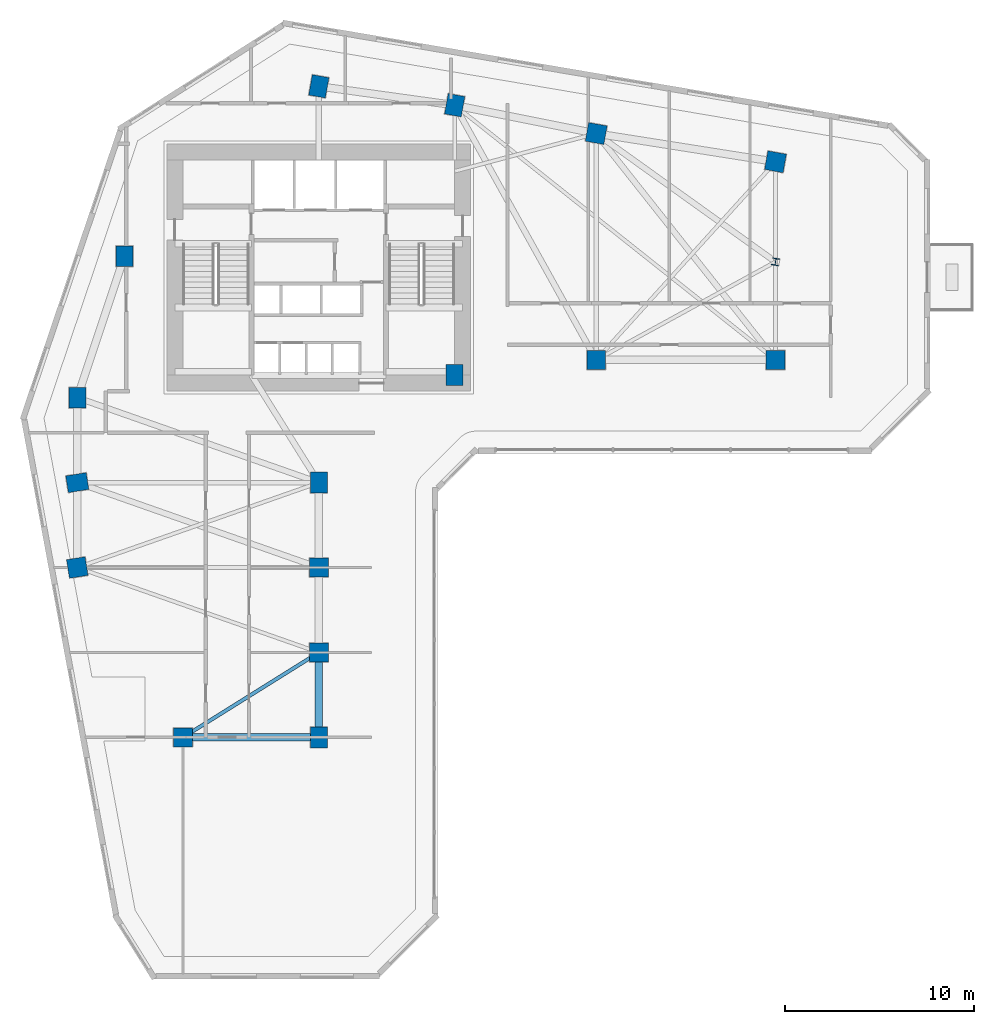
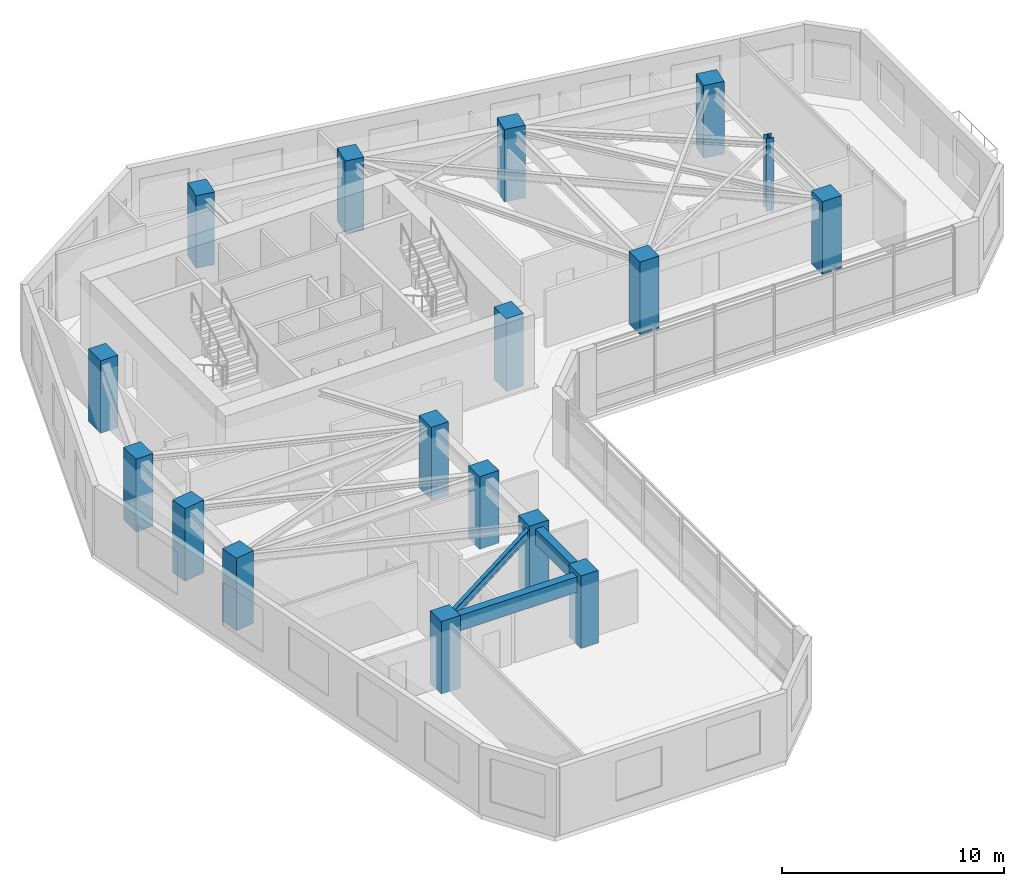
# One storey, part 1 of 11: 17 columns, 3 beams.
"""IFC4 building model written with IfcOpenShell, lengths in metres."""

import ifcopenshell
import ifcopenshell.guid

model = None  # the IFC model being written
_history = None  # IfcOwnerHistory: only IFC2X3 demands one
_inside = {}  # id of a spatial element -> (the spatial element, [elements in it])
_under = {}  # id of a project, library or spatial element -> (it, [spatial elements below it])
_declared = {}  # id of a project -> (the project, [libraries it declares])
_typed = {}  # id of a type object -> (the type object, [elements of that type])
_made_of = {}  # id of a material, layer set ... -> (it, [elements and type objects made of it])


def new_model(schema):
    """Start an empty IFC model of exactly this schema.

    Asked for "IFC4X3", IfcOpenShell would pick the latest addendum, in which some entities
    have other attributes; the version numbers below select the first issue.
    IFC2X3 requires an IfcOwnerHistory on every rooted entity: one is made here for all.
    """
    global model, _history
    if schema == "IFC4X3":
        model = ifcopenshell.file(schema_version=(4, 3, 0, 0))
    else:
        model = ifcopenshell.file(schema=schema)
    _inside.clear()
    _under.clear()
    _declared.clear()
    _typed.clear()
    _made_of.clear()
    _history = None
    if model.schema == "IFC2X3":
        org = make("IfcOrganization", Name="unknown")
        user = make(
            "IfcPersonAndOrganization",
            ThePerson=make("IfcPerson", FamilyName="unknown"),
            TheOrganization=org,
        )
        app = make(
            "IfcApplication",
            ApplicationDeveloper=org,
            Version="unknown",
            ApplicationFullName="unknown",
            ApplicationIdentifier="unknown",
        )
        _history = make(
            "IfcOwnerHistory",
            OwningUser=user,
            OwningApplication=app,
            ChangeAction="ADDED",
            CreationDate=0,
        )
    return model


def make(cls, **values):
    """One entity of the class cls with the attributes given. An attribute that is None is left unset."""
    return model.create_entity(
        cls, **{name: value for name, value in values.items() if value is not None}
    )


def rooted(cls, **values):
    """An entity with a GlobalId (a new one), such as an element, a storey or a relation."""
    return make(cls, GlobalId=ifcopenshell.guid.new(), OwnerHistory=_history, **values)


def si_unit(unit_type, name, prefix=None):
    """IfcSIUnit, for example si_unit("LENGTHUNIT", "METRE", prefix="MILLI")."""
    return make("IfcSIUnit", UnitType=unit_type, Prefix=prefix, Name=name)


def assignment(units):
    """IfcUnitAssignment: the units of a project."""
    return None if units is None else make("IfcUnitAssignment", Units=units)


def point(xyz):
    """IfcCartesianPoint."""
    return None if xyz is None else make("IfcCartesianPoint", Coordinates=xyz)


def direction(xyz):
    """IfcDirection."""
    return None if xyz is None else make("IfcDirection", DirectionRatios=xyz)


def frame(location, z_axis=None, x_axis=None):
    """IfcAxis2Placement3D, a coordinate frame: its origin and axes. An axis left out is left unset."""
    return make(
        "IfcAxis2Placement3D",
        Location=point(location),
        Axis=direction(z_axis),
        RefDirection=direction(x_axis),
    )


def frame_2d(location, x_axis=None):
    """IfcAxis2Placement2D, a coordinate frame in the plane: its origin and x axis."""
    return make(
        "IfcAxis2Placement2D", Location=point(location), RefDirection=direction(x_axis)
    )


def origin():
    """The frame at (0, 0, 0) with its axes left unset."""
    return frame((0.0, 0.0, 0.0))


def origin_2d():
    """The frame at (0, 0) in the plane with its x axis left unset."""
    return frame_2d((0.0, 0.0))


def place(relative_to, where):
    """IfcLocalPlacement: puts the frame where relative to a parent placement (None: the world)."""
    return make(
        "IfcLocalPlacement", PlacementRelTo=relative_to, RelativePlacement=where
    )


def context(
    kind, dimensions, precision=None, world=None, true_north=None, identifier=None
):
    """IfcGeometricRepresentationContext, for example the 3D "Model" context."""
    return make(
        "IfcGeometricRepresentationContext",
        ContextIdentifier=identifier,
        ContextType=kind,
        CoordinateSpaceDimension=dimensions,
        Precision=precision,
        WorldCoordinateSystem=world,
        TrueNorth=true_north,
    )


def subcontext(parent, identifier, kind, view, scale=None):
    """IfcGeometricRepresentationSubContext, for example "Body" below "Model"."""
    return make(
        "IfcGeometricRepresentationSubContext",
        ContextIdentifier=identifier,
        ContextType=kind,
        ParentContext=parent,
        TargetScale=scale,
        TargetView=view,
    )


def project(units=None, contexts=None):
    """IfcProject with its units and contexts."""
    return rooted(
        "IfcProject",
        Name="project",
        RepresentationContexts=contexts,
        UnitsInContext=assignment(units),
    )


def spatial(cls, under=None, at=None, **own):
    """A site, building, storey or space (cls), placed at a placement, below another one or the project."""
    s = rooted(cls, ObjectPlacement=at, **own)
    if under is not None:
        _under.setdefault(under.id(), (under, []))[1].append(s)
    return s


def profile(cls, at=None, kind="AREA", **sizes):
    """A parametric profile (cls). Its sizes go by their IFC names, for example OverallWidth=200.0."""
    return make(cls, ProfileType=kind, Position=at, **sizes)


def rectangle(**sizes):
    """IfcRectangleProfileDef."""
    return profile("IfcRectangleProfileDef", **sizes)


def i_section(**sizes):
    """IfcIShapeProfileDef."""
    return profile("IfcIShapeProfileDef", **sizes)


def extrude(swept, where, along, depth):
    """IfcExtrudedAreaSolid: the profile swept, set in the frame where, extruded along a direction by depth."""
    return make(
        "IfcExtrudedAreaSolid",
        SweptArea=swept,
        Position=where,
        ExtrudedDirection=direction(along),
        Depth=depth,
    )


def shape(context_of_items, identifier, shape_type, items):
    """IfcShapeRepresentation: the items that make up one representation, for example the "Body"."""
    return make(
        "IfcShapeRepresentation",
        ContextOfItems=context_of_items,
        RepresentationIdentifier=identifier,
        RepresentationType=shape_type,
        Items=items,
    )


def source(mapping_origin, context_of_items, identifier, shape_type, items):
    """IfcRepresentationMap: a shape defined once, which mapped items show again and again."""
    return make(
        "IfcRepresentationMap",
        MappingOrigin=mapping_origin,
        MappedRepresentation=shape(context_of_items, identifier, shape_type, items),
    )


def transform(
    local_origin,
    x_axis=None,
    y_axis=None,
    z_axis=None,
    scale=None,
    scale2=None,
    scale3=None,
    uniform=True,
):
    """IfcCartesianTransformationOperator3D, or its non-uniform kind. x_axis, y_axis, z_axis: its Axis1, 2, 3."""
    if uniform:
        return make(
            "IfcCartesianTransformationOperator3D",
            Axis1=direction(x_axis),
            Axis2=direction(y_axis),
            LocalOrigin=point(local_origin),
            Scale=scale,
            Axis3=direction(z_axis),
        )
    return make(
        "IfcCartesianTransformationOperator3DnonUniform",
        Axis1=direction(x_axis),
        Axis2=direction(y_axis),
        LocalOrigin=point(local_origin),
        Scale=scale,
        Axis3=direction(z_axis),
        Scale2=scale2,
        Scale3=scale3,
    )


def mapped(mapping_source, mapping_target):
    """IfcMappedItem: shows the shape of a source again, moved by a transform."""
    return make(
        "IfcMappedItem", MappingSource=mapping_source, MappingTarget=mapping_target
    )


def material(Name=None, Category=None):
    """IfcMaterial."""
    return make("IfcMaterial", Name=Name, Category=Category)


def material_profile(
    of_material, cross_section, Name=None, Category=None, Priority=None
):
    """IfcMaterialProfile: a cross section and its material."""
    return make(
        "IfcMaterialProfile",
        Name=Name,
        Material=of_material,
        Profile=cross_section,
        Priority=Priority,
        Category=Category,
    )


def profile_set(profiles, Name=None, composite=None):
    """IfcMaterialProfileSet."""
    return make(
        "IfcMaterialProfileSet",
        Name=Name,
        MaterialProfiles=profiles,
        CompositeProfile=composite,
    )


def made_of(thing, what):
    """Note that an element or type object is made of a material, layer set ...; save() writes the relation."""
    if what is not None:
        _made_of.setdefault(what.id(), (what, []))[1].append(thing)
    return thing


def type_object(cls, material=None, **own):
    """A type object (cls), such as IfcWallType, which elements share."""
    return made_of(rooted(cls, **own), material)


def element(
    cls,
    number,
    at=None,
    inside=None,
    cuts=None,
    type_object=None,
    material=None,
    context=None,
    identifier="Body",
    shape_type=None,
    held_by="IfcProductDefinitionShape",
    body=None,
    shapes=None,
    **own,
):
    """One element of the class cls, such as IfcWall. Its Tag is "e" and its number.

    at: its placement. inside: the storey or other place that contains it. cuts: it is an
    opening in that element (IfcRelVoidsElement). A single representation is given by context,
    identifier, shape_type and body (its items); several are given by shapes. held_by: the class
    of the entity that holds the representations. save() writes the other relations.
    """
    e = rooted(cls, Tag="e%d" % number, ObjectPlacement=at, **own)
    if body is not None:
        shapes = [shape(context, identifier, shape_type, body)]
    if shapes is not None:
        e.Representation = make(held_by, Representations=shapes)
    if inside is not None:
        _inside.setdefault(inside.id(), (inside, []))[1].append(e)
    if cuts is not None:
        rooted(
            "IfcRelVoidsElement", RelatingBuildingElement=cuts, RelatedOpeningElement=e
        )
    if type_object is not None:
        _typed.setdefault(type_object.id(), (type_object, []))[1].append(e)
    return made_of(e, material)


def aggregate(whole, parts):
    """IfcRelAggregates: a whole, such as a stair, and the parts it consists of."""
    return rooted("IfcRelAggregates", RelatingObject=whole, RelatedObjects=parts)


def save(model, path):
    """Write the relations noted so far, then the file.

    IfcRelAggregates (storeys below a building ...), IfcRelContainedInSpatialStructure (elements
    in a storey), IfcRelDefinesByType, IfcRelAssociatesMaterial and IfcRelDeclares: one each for
    every whole, place, type object, material and project.
    """
    for whole, parts in _under.values():
        aggregate(whole, parts)
    for where, things in _inside.values():
        rooted(
            "IfcRelContainedInSpatialStructure",
            RelatedElements=things,
            RelatingStructure=where,
        )
    for kind, things in _typed.values():
        rooted("IfcRelDefinesByType", RelatedObjects=things, RelatingType=kind)
    for what, things in _made_of.values():
        rooted("IfcRelAssociatesMaterial", RelatedObjects=things, RelatingMaterial=what)
    for by, libraries in _declared.values():
        rooted("IfcRelDeclares", RelatingContext=by, RelatedDefinitions=libraries)
    model.write(path)


model = new_model("IFC4")

# Units and contexts
model_context = context("Model", 3, precision=1e-05, world=origin(), true_north=direction((0.0, 1.0)))
body_context = subcontext(model_context, "Body", "Model", "MODEL_VIEW")
ifc_project = project(units=[si_unit("LENGTHUNIT", "METRE"), si_unit("AREAUNIT", "SQUARE_METRE"), si_unit("VOLUMEUNIT", "CUBIC_METRE"), si_unit("PLANEANGLEUNIT", "RADIAN"), si_unit("MASSUNIT", "GRAM", prefix="KILO")], contexts=[model_context])

# Site, building, storey
site_placement = place(None, origin())
site = spatial("IfcSite", under=ifc_project, at=site_placement, CompositionType="ELEMENT")
building_placement = place(site_placement, origin())
building = spatial("IfcBuilding", under=site, at=building_placement, Name="Calvemar Wedge Station Tower", CompositionType="ELEMENT")
storey_placement = place(building_placement, frame((0.0, 0.0, 79.0)))
storey = spatial("IfcBuildingStorey", under=building, at=storey_placement, Name="L19", CompositionType="ELEMENT", Elevation=79.0)

# Columns
ifc_material_1 = material(Name="Concrete C70", Category="concrete")
ifc_material_profile_1 = material_profile(ifc_material_1, rectangle(XDim=0.89990234375, YDim=1.10009765625, at=origin_2d()), Name="RC1100x900")
ifc_profile_set_1 = profile_set([ifc_material_profile_1], Name="Concrete C70")
column_type_1 = type_object("IfcColumnType", Name="COL-C3-1100x900", PredefinedType="COLUMN", material=ifc_profile_set_1)
shared_shape_1 = source(origin(), body_context, "Body", "SweptSolid", [
    extrude(rectangle(XDim=0.89990234375, YDim=1.10009765625, at=origin_2d()), origin(), (0.0, 0.0, 1.0), 4.0),
])
for number, where, z_axis, x_axis, name in (
    (1, (11.0, 33.0, 0.0), (0.0, 0.0, 1.0), (1.0, 0.0, 0.0), "Storey L19 Column T-NW1"),
    (2, (13.5, 40.5, 0.0), (0.0, 0.0, 1.0), (1.0, 0.0, 0.0), "Storey L19 Column T-NW2"),
    (3, (23.800048828125, 49.5, 0.0), (0.0, 0.0, 1.0), (0.984195607969, -0.17708474032, 0.0), "Storey L19 Column T-N1"),
    (4, (31.0, 48.5, 0.0), (0.0, 0.0, 1.0), (0.984195607969, -0.17708474032, 0.0), "Storey L19 Column T-N2"),
    (5, (31.0, 34.199951171875, 0.0), (0.0, 0.0, 1.0), (1.0, 0.0, 0.0), "Storey L19 Column T-NL1"),
    (6, (11.0, 28.5, 0.0), (0.0, 0.0, 1.0), (0.158158067254, -0.987413806751, 0.0), "Storey L19 Column T-SW1"),
    (7, (23.800048828125, 28.5, 0.0), (0.0, 0.0, 1.0), (1.0, 0.0, 0.0), "Storey L19 Column T-SE1"),
    (8, (23.800048828125, 15.0, 0.0), (0.0, 0.0, 1.0), (1.0, 0.0, 0.0), "Storey L19 Column T-SE4"),
):
    element("IfcColumn", number, at=place(storey_placement, frame(where, z_axis=z_axis, x_axis=x_axis)), inside=storey, type_object=column_type_1, Name=name, PredefinedType="COLUMN", context=body_context, shape_type="MappedRepresentation", body=[
        mapped(shared_shape_1, transform((0.0, 0.0, 0.0), scale=1.0)),
    ])
ifc_material_2 = material(Name="Concrete C60", Category="concrete")
ifc_material_profile_2 = material_profile(ifc_material_2, rectangle(XDim=1.0, YDim=1.0, at=origin_2d()), Name="RC1000x1000")
ifc_profile_set_2 = profile_set([ifc_material_profile_2], Name="Concrete C60")
column_type_2 = type_object("IfcColumnType", Name="COL-C4-1000", PredefinedType="COLUMN", material=ifc_profile_set_2)
shared_shape_2 = source(origin(), body_context, "Body", "SweptSolid", [
    extrude(rectangle(XDim=1.0, YDim=1.0, at=origin_2d()), origin(), (0.0, 0.0, 1.0), 4.0),
])
for number, where, z_axis, x_axis, name in (
    (9, (38.5, 47.0, 0.0), (0.0, 0.0, 1.0), (0.984195607969, -0.17708474032, 0.0), "Storey L19 Column T-NU3"),
    (10, (48.0, 45.5, 0.0), (0.0, 0.0, 1.0), (0.984195607969, -0.17708474032, 0.0), "Storey L19 Column T-NU4"),
    (11, (38.5, 35.0, 0.0), (0.0, 0.0, 1.0), (1.0, 0.0, 0.0), "Storey L19 Column T-NL2"),
    (12, (48.0, 35.0, 0.0), (0.0, 0.0, 1.0), (1.0, 0.0, 0.0), "Storey L19 Column T-NL3"),
    (13, (11.0, 24.0, 0.0), (0.0, 0.0, 1.0), (0.158158067254, -0.987413806751, 0.0), "Storey L19 Column T-SW2"),
    (14, (23.800048828125, 24.0, 0.0), (0.0, 0.0, 1.0), (1.0, 0.0, 0.0), "Storey L19 Column T-SE2"),
    (15, (23.800048828125, 19.5, 0.0), (0.0, 0.0, 1.0), (1.0, 0.0, 0.0), "Storey L19 Column T-SE3"),
    (16, (16.60009765625, 15.0, 0.0), (0.0, 0.0, 1.0), (1.0, 0.0, 0.0), "Storey L19 Column T-SM1"),
):
    element("IfcColumn", number, at=place(storey_placement, frame(where, z_axis=z_axis, x_axis=x_axis)), inside=storey, type_object=column_type_2, Name=name, PredefinedType="COLUMN", context=body_context, shape_type="MappedRepresentation", body=[
        mapped(shared_shape_2, transform((0.0, 0.0, 0.0), scale=1.0)),
    ])
ifc_material_3 = material(Name="Structural steel ASTM A572 Grade 50", Category="steel")
ifc_material_profile_3 = material_profile(ifc_material_3, i_section(OverallWidth=0.3740234375, OverallDepth=0.3720703125, WebThickness=0.016357421875, FlangeThickness=0.026123046875, FilletRadius=0.014892578125, at=origin_2d()), Name="W360x196")
ifc_profile_set_3 = profile_set([ifc_material_profile_3], Name="Structural steel ASTM A572 Grade 50")
column_type_3 = type_object("IfcColumnType", Name="COL-STL-W360", PredefinedType="COLUMN", material=ifc_profile_set_3)
shared_shape_3 = source(origin(), body_context, "Body", "SweptSolid", [
    extrude(i_section(OverallWidth=0.3740234375, OverallDepth=0.3720703125, WebThickness=0.016357421875, FlangeThickness=0.026123046875, FilletRadius=0.014892578125, at=origin_2d()), origin(), (0.0, 0.0, 1.0), 4.0),
])
column_placement = place(storey_placement, frame((48.0, 40.199951171875, 0.0), z_axis=(0.0, 0.0, 1.0), x_axis=(0.984195607969, -0.17708474032, 0.0)))
element("IfcColumn", 17, at=column_placement, inside=storey, type_object=column_type_3, Name="Storey L19 Column T-NTIP-A", PredefinedType="COLUMN", context=body_context, shape_type="MappedRepresentation", body=[
    mapped(shared_shape_3, transform((0.0, 0.0, 0.0), scale=1.0)),
])

# Beams
ifc_material_profile_4 = material_profile(ifc_material_2, rectangle(XDim=0.39990234375, YDim=0.85009765625, at=origin_2d()), Name="RC400x850")
ifc_profile_set_4 = profile_set([ifc_material_profile_4], Name="Concrete C60")
beam_type_1 = type_object("IfcBeamType", Name="BM-SP1-850", PredefinedType="SPANDREL", material=ifc_profile_set_4)
shared_shape_4 = source(origin(), body_context, "Body", "SweptSolid", [
    extrude(rectangle(XDim=0.39990234375, YDim=0.85009765625, at=origin_2d()), origin(), (0.0, 0.0, 1.0), 4.5),
])
beam_1_placement = place(storey_placement, frame((23.800048828125, 19.5, 3.324951171875), z_axis=(0.0, -1.0, 0.0), x_axis=(1.0, 0.0, 0.0)))
element("IfcBeam", 18, at=beam_1_placement, inside=storey, type_object=beam_type_1, Name="Storey L19 Spandrel T-SE3-T-SE4", PredefinedType="SPANDREL", context=body_context, shape_type="MappedRepresentation", body=[
    mapped(shared_shape_4, transform((0.0, 0.0, 0.0), scale=1.0)),
])
shared_shape_5 = source(origin(), body_context, "Body", "SweptSolid", [
    extrude(rectangle(XDim=0.39990234375, YDim=0.85009765625, at=origin_2d()), origin(), (0.0, 0.0, 1.0), 7.199951171875),
])
beam_2_placement = place(storey_placement, frame((16.60009765625, 15.0, 3.324951171875), z_axis=(1.0, 0.0, 0.0), x_axis=(0.0, 1.0, 0.0)))
element("IfcBeam", 19, at=beam_2_placement, inside=storey, type_object=beam_type_1, Name="Storey L19 Spandrel T-SM1-T-SE4", PredefinedType="SPANDREL", context=body_context, shape_type="MappedRepresentation", body=[
    mapped(shared_shape_5, transform((0.0, 0.0, 0.0), scale=1.0)),
])
ifc_material_profile_5 = material_profile(ifc_material_3, i_section(OverallWidth=0.19189453125, OverallDepth=0.462890625, WebThickness=0.010498046875, FlangeThickness=0.017578125, FilletRadius=0.012939453125, at=origin_2d()), Name="W460x89")
ifc_profile_set_5 = profile_set([ifc_material_profile_5], Name="Structural steel ASTM A572 Grade 50")
beam_type_2 = type_object("IfcBeamType", Name="BM-J1-W460", PredefinedType="JOIST", material=ifc_profile_set_5)
shared_shape_6 = source(origin(), body_context, "Body", "SweptSolid", [
    extrude(i_section(OverallWidth=0.19189453125, OverallDepth=0.462890625, WebThickness=0.010498046875, FlangeThickness=0.017578125, FilletRadius=0.012939453125, at=origin_2d()), origin(), (0.0, 0.0, 1.0), 8.490478515625),
])
beam_3_placement = place(storey_placement, frame((23.800048828125, 19.5, 3.5185546875), z_axis=(-0.847996688584, -0.530001524668, 0.0), x_axis=(0.530001524668, -0.847996688584, 0.0)))
element("IfcBeam", 20, at=beam_3_placement, inside=storey, type_object=beam_type_2, Name="Storey L19 Floor Beam T-SE3-T-SM1", PredefinedType="JOIST", context=body_context, shape_type="MappedRepresentation", body=[
    mapped(shared_shape_6, transform((0.0, 0.0, 0.0), scale=1.0)),
])

save(model, "model.ifc")
